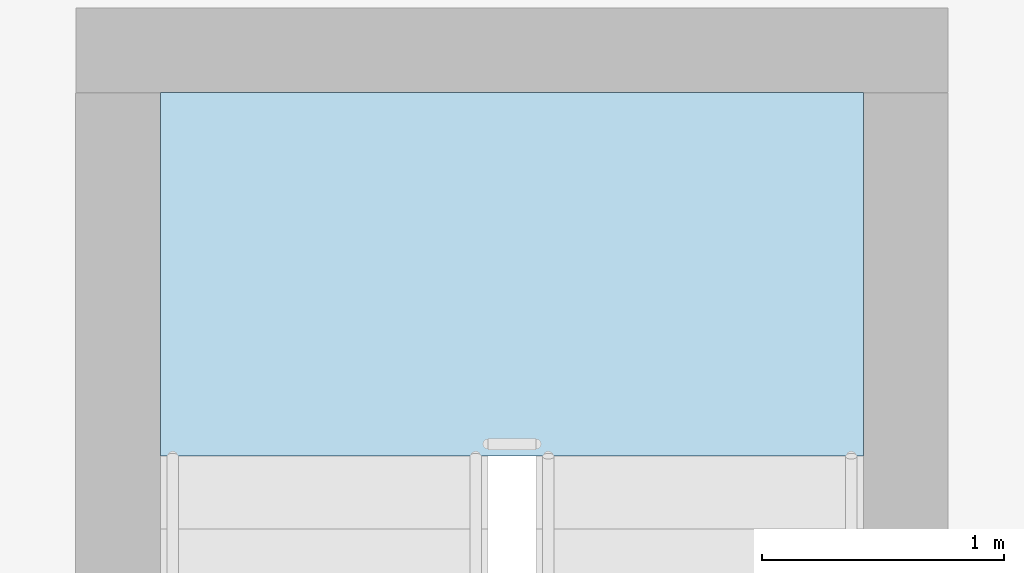
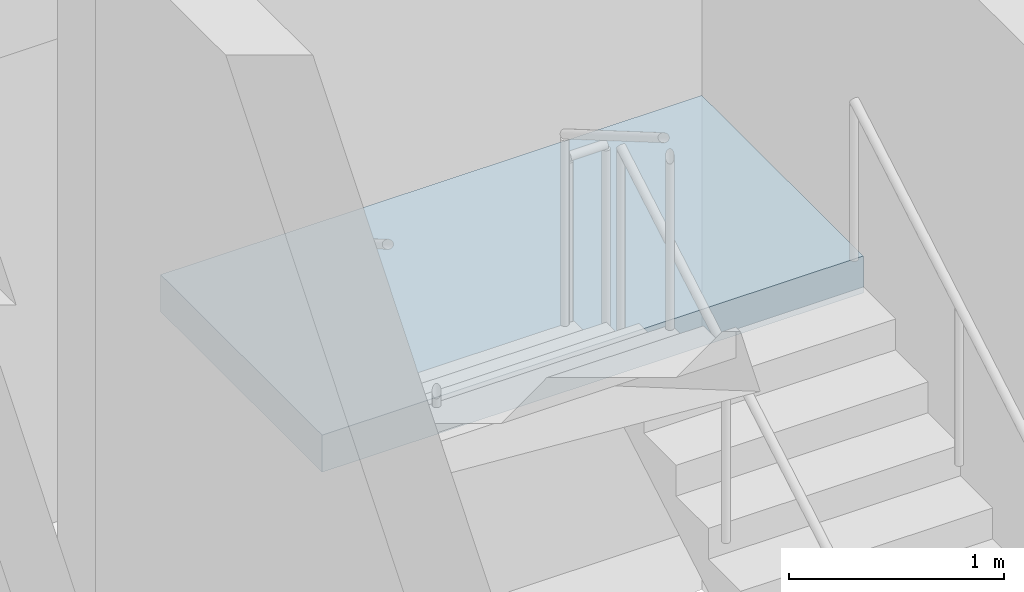
# One storey, part 105 of 144: 1 slab, 1 element without a shape of its own.
"""IFC4 building model written with IfcOpenShell, lengths in metres."""

from ifc_helpers import new_model, si_unit, direction, frame, origin, place, context, subcontext, project, spatial, polyline, outline, extrude, material, layer, layer_set, type_object, element, aggregate, save


model = new_model("IFC4")

# Units and contexts
model_context = context("Model", 3, precision=1e-05, world=origin(), true_north=direction((0.0, 1.0)))
body_context = subcontext(model_context, "Body", "Model", "MODEL_VIEW")
ifc_project = project(units=[si_unit("LENGTHUNIT", "METRE"), si_unit("AREAUNIT", "SQUARE_METRE"), si_unit("VOLUMEUNIT", "CUBIC_METRE"), si_unit("PLANEANGLEUNIT", "RADIAN"), si_unit("MASSUNIT", "GRAM", prefix="KILO")], contexts=[model_context])

# Site, building, storey
site_placement = place(None, origin())
site = spatial("IfcSite", under=ifc_project, at=site_placement, CompositionType="ELEMENT")
building_placement = place(site_placement, origin())
building = spatial("IfcBuilding", under=site, at=building_placement, Name="Karori Crest Natural Sciences Institute", CompositionType="ELEMENT")
storey_placement = place(building_placement, origin())
storey = spatial("IfcBuildingStorey", under=building, at=storey_placement, Name="L00", CompositionType="ELEMENT", Elevation=0.0)

# Stair, slab
ifc_material = material(Name="Concrete 40 MPa", Category="concrete")
stair_type = type_object("IfcStairType", Name="STT-02", PredefinedType="HALF_TURN_STAIR", material=ifc_material)
stair_placement = place(storey_placement, origin())
stair = element("IfcStair", 1, at=stair_placement, inside=storey, type_object=stair_type, Name="Protected stair ST-06-L00", PredefinedType="HALF_TURN_STAIR")
ifc_layer = layer(ifc_material, 0.2099609375, Name="Concrete 40 MPa")
ifc_layer_set = layer_set([ifc_layer], Name="Concrete 40 MPa")
slab_type = type_object("IfcSlabType", Name="SLT-11", PredefinedType="LANDING", material=ifc_layer_set)
slab_placement = place(storey_placement, frame((0.0, 0.0, 2.239990234375)))
slab = element("IfcSlab", 2, at=slab_placement, type_object=slab_type, Name="ST-06-L00 landing 1", PredefinedType="LANDING", context=body_context, shape_type="SweptSolid", body=[
    extrude(outline(polyline([(12.10009765625, 144.89990234375), (12.10009765625, 146.39990234375), (9.199951171875, 146.39990234375), (9.199951171875, 144.89990234375), (12.10009765625, 144.89990234375)])), origin(), (0.0, 0.0, 1.0), 0.2099609375),
])
aggregate(stair, [slab])

save(model, "model.ifc")
